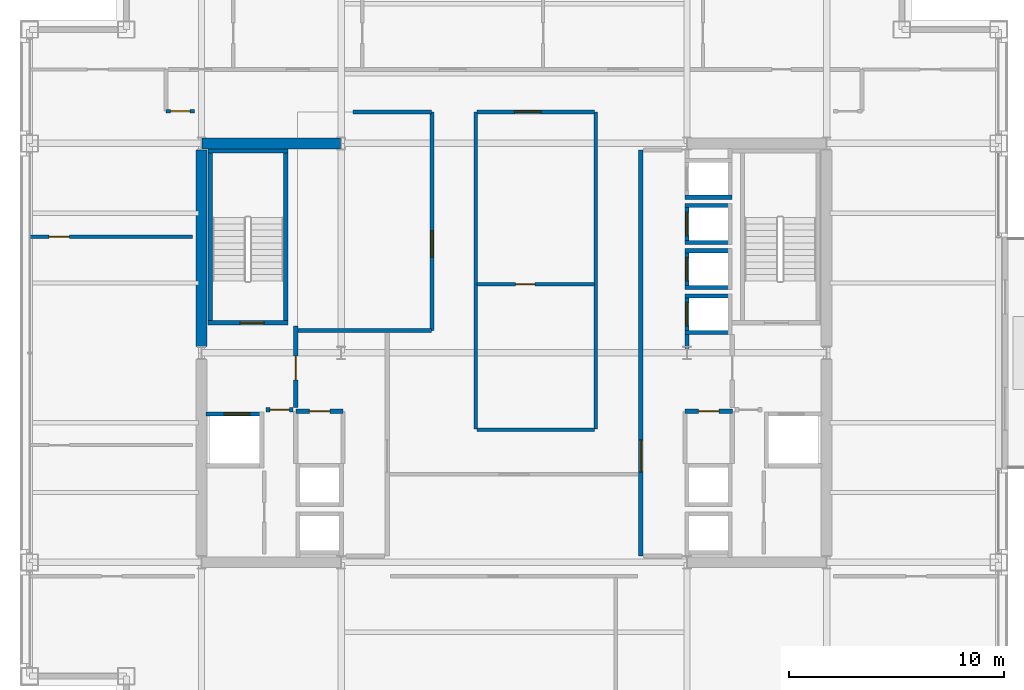
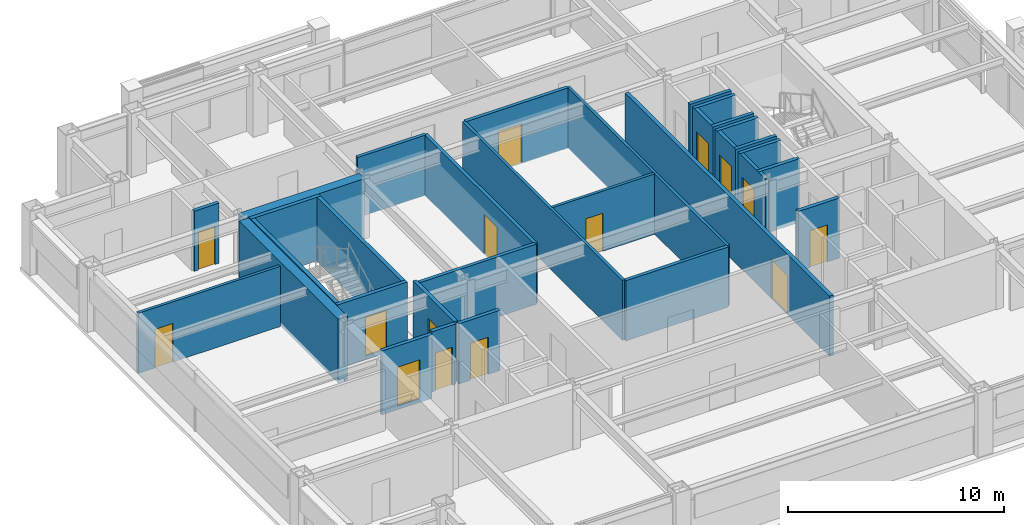
# One storey, part 25 of 29: 32 walls, 15 doors, 15 openings.
"""IFC4 building model written with IfcOpenShell, lengths in metres."""

import ifcopenshell
import ifcopenshell.guid

model = None  # the IFC model being written
_history = None  # IfcOwnerHistory: only IFC2X3 demands one
_inside = {}  # id of a spatial element -> (the spatial element, [elements in it])
_under = {}  # id of a project, library or spatial element -> (it, [spatial elements below it])
_declared = {}  # id of a project -> (the project, [libraries it declares])
_typed = {}  # id of a type object -> (the type object, [elements of that type])
_made_of = {}  # id of a material, layer set ... -> (it, [elements and type objects made of it])


def new_model(schema):
    """Start an empty IFC model of exactly this schema.

    Asked for "IFC4X3", IfcOpenShell would pick the latest addendum, in which some entities
    have other attributes; the version numbers below select the first issue.
    IFC2X3 requires an IfcOwnerHistory on every rooted entity: one is made here for all.
    """
    global model, _history
    if schema == "IFC4X3":
        model = ifcopenshell.file(schema_version=(4, 3, 0, 0))
    else:
        model = ifcopenshell.file(schema=schema)
    _inside.clear()
    _under.clear()
    _declared.clear()
    _typed.clear()
    _made_of.clear()
    _history = None
    if model.schema == "IFC2X3":
        org = make("IfcOrganization", Name="unknown")
        user = make(
            "IfcPersonAndOrganization",
            ThePerson=make("IfcPerson", FamilyName="unknown"),
            TheOrganization=org,
        )
        app = make(
            "IfcApplication",
            ApplicationDeveloper=org,
            Version="unknown",
            ApplicationFullName="unknown",
            ApplicationIdentifier="unknown",
        )
        _history = make(
            "IfcOwnerHistory",
            OwningUser=user,
            OwningApplication=app,
            ChangeAction="ADDED",
            CreationDate=0,
        )
    return model


def make(cls, **values):
    """One entity of the class cls with the attributes given. An attribute that is None is left unset."""
    return model.create_entity(
        cls, **{name: value for name, value in values.items() if value is not None}
    )


def rooted(cls, **values):
    """An entity with a GlobalId (a new one), such as an element, a storey or a relation."""
    return make(cls, GlobalId=ifcopenshell.guid.new(), OwnerHistory=_history, **values)


def si_unit(unit_type, name, prefix=None):
    """IfcSIUnit, for example si_unit("LENGTHUNIT", "METRE", prefix="MILLI")."""
    return make("IfcSIUnit", UnitType=unit_type, Prefix=prefix, Name=name)


def assignment(units):
    """IfcUnitAssignment: the units of a project."""
    return None if units is None else make("IfcUnitAssignment", Units=units)


def point(xyz):
    """IfcCartesianPoint."""
    return None if xyz is None else make("IfcCartesianPoint", Coordinates=xyz)


def direction(xyz):
    """IfcDirection."""
    return None if xyz is None else make("IfcDirection", DirectionRatios=xyz)


def frame(location, z_axis=None, x_axis=None):
    """IfcAxis2Placement3D, a coordinate frame: its origin and axes. An axis left out is left unset."""
    return make(
        "IfcAxis2Placement3D",
        Location=point(location),
        Axis=direction(z_axis),
        RefDirection=direction(x_axis),
    )


def frame_2d(location, x_axis=None):
    """IfcAxis2Placement2D, a coordinate frame in the plane: its origin and x axis."""
    return make(
        "IfcAxis2Placement2D", Location=point(location), RefDirection=direction(x_axis)
    )


def origin():
    """The frame at (0, 0, 0) with its axes left unset."""
    return frame((0.0, 0.0, 0.0))


def place(relative_to, where):
    """IfcLocalPlacement: puts the frame where relative to a parent placement (None: the world)."""
    return make(
        "IfcLocalPlacement", PlacementRelTo=relative_to, RelativePlacement=where
    )


def context(
    kind, dimensions, precision=None, world=None, true_north=None, identifier=None
):
    """IfcGeometricRepresentationContext, for example the 3D "Model" context."""
    return make(
        "IfcGeometricRepresentationContext",
        ContextIdentifier=identifier,
        ContextType=kind,
        CoordinateSpaceDimension=dimensions,
        Precision=precision,
        WorldCoordinateSystem=world,
        TrueNorth=true_north,
    )


def subcontext(parent, identifier, kind, view, scale=None):
    """IfcGeometricRepresentationSubContext, for example "Body" below "Model"."""
    return make(
        "IfcGeometricRepresentationSubContext",
        ContextIdentifier=identifier,
        ContextType=kind,
        ParentContext=parent,
        TargetScale=scale,
        TargetView=view,
    )


def project(units=None, contexts=None):
    """IfcProject with its units and contexts."""
    return rooted(
        "IfcProject",
        Name="project",
        RepresentationContexts=contexts,
        UnitsInContext=assignment(units),
    )


def spatial(cls, under=None, at=None, **own):
    """A site, building, storey or space (cls), placed at a placement, below another one or the project."""
    s = rooted(cls, ObjectPlacement=at, **own)
    if under is not None:
        _under.setdefault(under.id(), (under, []))[1].append(s)
    return s


def profile(cls, at=None, kind="AREA", **sizes):
    """A parametric profile (cls). Its sizes go by their IFC names, for example OverallWidth=200.0."""
    return make(cls, ProfileType=kind, Position=at, **sizes)


def rectangle(**sizes):
    """IfcRectangleProfileDef."""
    return profile("IfcRectangleProfileDef", **sizes)


def extrude(swept, where, along, depth):
    """IfcExtrudedAreaSolid: the profile swept, set in the frame where, extruded along a direction by depth."""
    return make(
        "IfcExtrudedAreaSolid",
        SweptArea=swept,
        Position=where,
        ExtrudedDirection=direction(along),
        Depth=depth,
    )


def shape(context_of_items, identifier, shape_type, items):
    """IfcShapeRepresentation: the items that make up one representation, for example the "Body"."""
    return make(
        "IfcShapeRepresentation",
        ContextOfItems=context_of_items,
        RepresentationIdentifier=identifier,
        RepresentationType=shape_type,
        Items=items,
    )


def material(Name=None, Category=None):
    """IfcMaterial."""
    return make("IfcMaterial", Name=Name, Category=Category)


def layer(
    of_material, thickness, ventilated=None, Name=None, Category=None, Priority=None
):
    """IfcMaterialLayer: one layer of a wall or slab, of a material (None: an air gap)."""
    return make(
        "IfcMaterialLayer",
        Material=of_material,
        LayerThickness=thickness,
        IsVentilated=ventilated,
        Name=Name,
        Category=Category,
        Priority=Priority,
    )


def layer_set(layers, Name=None):
    """IfcMaterialLayerSet."""
    return make("IfcMaterialLayerSet", MaterialLayers=layers, LayerSetName=Name)


def made_of(thing, what):
    """Note that an element or type object is made of a material, layer set ...; save() writes the relation."""
    if what is not None:
        _made_of.setdefault(what.id(), (what, []))[1].append(thing)
    return thing


def type_object(cls, material=None, **own):
    """A type object (cls), such as IfcWallType, which elements share."""
    return made_of(rooted(cls, **own), material)


def element(
    cls,
    number,
    at=None,
    inside=None,
    cuts=None,
    type_object=None,
    material=None,
    context=None,
    identifier="Body",
    shape_type=None,
    held_by="IfcProductDefinitionShape",
    body=None,
    shapes=None,
    **own,
):
    """One element of the class cls, such as IfcWall. Its Tag is "e" and its number.

    at: its placement. inside: the storey or other place that contains it. cuts: it is an
    opening in that element (IfcRelVoidsElement). A single representation is given by context,
    identifier, shape_type and body (its items); several are given by shapes. held_by: the class
    of the entity that holds the representations. save() writes the other relations.
    """
    e = rooted(cls, Tag="e%d" % number, ObjectPlacement=at, **own)
    if body is not None:
        shapes = [shape(context, identifier, shape_type, body)]
    if shapes is not None:
        e.Representation = make(held_by, Representations=shapes)
    if inside is not None:
        _inside.setdefault(inside.id(), (inside, []))[1].append(e)
    if cuts is not None:
        rooted(
            "IfcRelVoidsElement", RelatingBuildingElement=cuts, RelatedOpeningElement=e
        )
    if type_object is not None:
        _typed.setdefault(type_object.id(), (type_object, []))[1].append(e)
    return made_of(e, material)


def fill(opening, filler):
    """IfcRelFillsElement: the door or window that sits in an opening."""
    return rooted(
        "IfcRelFillsElement",
        RelatingOpeningElement=opening,
        RelatedBuildingElement=filler,
    )


def aggregate(whole, parts):
    """IfcRelAggregates: a whole, such as a stair, and the parts it consists of."""
    return rooted("IfcRelAggregates", RelatingObject=whole, RelatedObjects=parts)


def save(model, path):
    """Write the relations noted so far, then the file.

    IfcRelAggregates (storeys below a building ...), IfcRelContainedInSpatialStructure (elements
    in a storey), IfcRelDefinesByType, IfcRelAssociatesMaterial and IfcRelDeclares: one each for
    every whole, place, type object, material and project.
    """
    for whole, parts in _under.values():
        aggregate(whole, parts)
    for where, things in _inside.values():
        rooted(
            "IfcRelContainedInSpatialStructure",
            RelatedElements=things,
            RelatingStructure=where,
        )
    for kind, things in _typed.values():
        rooted("IfcRelDefinesByType", RelatedObjects=things, RelatingType=kind)
    for what, things in _made_of.values():
        rooted("IfcRelAssociatesMaterial", RelatedObjects=things, RelatingMaterial=what)
    for by, libraries in _declared.values():
        rooted("IfcRelDeclares", RelatingContext=by, RelatedDefinitions=libraries)
    model.write(path)


model = new_model("IFC4")

# Units and contexts
model_context = context("Model", 3, precision=1e-05, world=origin(), true_north=direction((0.0, 1.0)))
body_context = subcontext(model_context, "Body", "Model", "MODEL_VIEW")
ifc_project = project(units=[si_unit("LENGTHUNIT", "METRE"), si_unit("AREAUNIT", "SQUARE_METRE"), si_unit("VOLUMEUNIT", "CUBIC_METRE"), si_unit("PLANEANGLEUNIT", "RADIAN"), si_unit("MASSUNIT", "GRAM", prefix="KILO")], contexts=[model_context])

# Site, building, storey
site_placement = place(None, origin())
site = spatial("IfcSite", under=ifc_project, at=site_placement, CompositionType="ELEMENT")
building_placement = place(site_placement, origin())
building = spatial("IfcBuilding", under=site, at=building_placement, Name="Brelmoor Portico Tower", CompositionType="ELEMENT")
storey_placement = place(building_placement, frame((0.0, 0.0, 138.60009765625)))
storey = spatial("IfcBuildingStorey", under=building, at=storey_placement, Name="L36", CompositionType="ELEMENT", Elevation=138.60009765625)

# Walls
ifc_material_1 = material(Name="Concrete C60", Category="concrete")
ifc_layer_1 = layer(ifc_material_1, 0.5)
ifc_layer_set_1 = layer_set([ifc_layer_1], Name="Concrete C60")
wall_type_1 = type_object("IfcWallType", Name="WL-CORE-500", PredefinedType="SHEAR", material=ifc_layer_set_1)
wall_1_placement = place(storey_placement, frame((-14.530029296875, 9.75, -0.2001953125), z_axis=(0.0, 0.0, 1.0), x_axis=(1.0, 0.0, 0.0)))
element("IfcWall", 1, at=wall_1_placement, inside=storey, type_object=wall_type_1, Name="L36 WC North Shear Wall", PredefinedType="SHEAR", context=body_context, shape_type="SweptSolid", body=[
    extrude(rectangle(XDim=6.4599609375, YDim=0.5, at=frame_2d((3.22998046875, 0.0))), origin(), (0.0, 0.0, 1.0), 3.60009765625),
])
wall_2_placement = place(storey_placement, frame((-14.550048828125, 0.300048828125, -0.2001953125), z_axis=(0.0, 0.0, 1.0), x_axis=(0.0, 1.0, 0.0)))
element("IfcWall", 2, at=wall_2_placement, inside=storey, type_object=wall_type_1, Name="L36 WC Outer North Shear Wall", PredefinedType="SHEAR", context=body_context, shape_type="SweptSolid", body=[
    extrude(rectangle(XDim=9.14990234375, YDim=0.5, at=frame_2d((4.574951171875, 0.0))), origin(), (0.0, 0.0, 1.0), 3.60009765625),
])
ifc_material_2 = material(Name="Wet-Area Moisture-Resistant Partition", Category="gypsum")
ifc_layer_2 = layer(ifc_material_2, 0.14990234375)
ifc_layer_set_2 = layer_set([ifc_layer_2], Name="Wet-Area Moisture-Resistant Partition")
wall_type_2 = type_object("IfcWallType", Name="WL-PART-150", PredefinedType="PARTITIONING", material=ifc_layer_set_2)
for number, where, z_axis, x_axis, name in (
    (3, (-1.780029296875, -3.550048828125, 0.0), (0.0, 0.0, 1.0), (0.0, 1.0, 0.0), "L36 Central Studio West Wall"),
    (4, (3.800048828125, -3.550048828125, 0.0), (0.0, 0.0, 1.0), (0.0, 1.0, 0.0), "L36 Central Studio East Wall"),
):
    element("IfcWall", number, at=place(storey_placement, frame(where, z_axis=z_axis, x_axis=x_axis)), inside=storey, type_object=wall_type_2, Name=name, PredefinedType="PARTITIONING", context=body_context, shape_type="SweptSolid", body=[
        extrude(rectangle(XDim=14.77001953125, YDim=0.14990234375, at=frame_2d((7.385009765625, 0.0))), origin(), (0.0, 0.0, 1.0), 3.39990234375),
    ])

# Wall, opening, door
wall_3_placement = place(storey_placement, frame((-1.72998046875, 3.199951171875, 0.0), z_axis=(0.0, 0.0, 1.0), x_axis=(1.0, 0.0, 0.0)))
wall_3 = element("IfcWall", 5, at=wall_3_placement, inside=storey, type_object=wall_type_2, Name="L36 Central Pantry Divider", PredefinedType="PARTITIONING", context=body_context, shape_type="SweptSolid", body=[
    extrude(rectangle(XDim=5.47998046875, YDim=0.14990234375, at=frame_2d((2.739990234375, 0.0))), origin(), (0.0, 0.0, 1.0), 3.39990234375),
])
opening_1_placement = place(wall_3_placement, frame((1.800048828125, 0.0, 0.0)))
opening_1 = element("IfcOpeningElement", 6, at=opening_1_placement, cuts=wall_3, Name="Opening D-IN1", PredefinedType="OPENING", context=body_context, shape_type="SweptSolid", body=[
    extrude(rectangle(XDim=0.89990234375, YDim=2.14990234375, at=frame_2d((0.449951171875, 1.074951171875))), frame((0.0, 0.0849609375, 0.0), z_axis=(0.0, -1.0, 0.0), x_axis=(1.0, 0.0, 0.0)), (0.0, 0.0, 1.0), 0.169921875),
])
ifc_material_3 = material(Name="Lacquered Timber Suite Door", Category="wood")
door_type_1 = type_object("IfcDoorType", Name="DR-INT-900", OperationType="NOTDEFINED", PredefinedType="DOOR", material=ifc_material_3)
door_1_placement = place(opening_1_placement, origin())
door_1 = element("IfcDoor", 7, at=door_1_placement, inside=storey, type_object=door_type_1, Name="D-1558 L36 Central Pantry Connecting Door", OperationType="SINGLE_SWING_RIGHT", OverallHeight=2.14990234375, OverallWidth=0.89990234375, PredefinedType="DOOR", context=body_context, shape_type="SweptSolid", body=[
    extrude(rectangle(XDim=0.89990234375, YDim=2.14990234375, at=frame_2d((0.449951171875, 1.074951171875))), frame((0.0, 0.02490234375, 0.0), z_axis=(0.0, -1.0, 0.0), x_axis=(1.0, 0.0, 0.0)), (0.0, 0.0, 1.0), 0.050048828125),
])
fill(opening_1, door_1)

wall_4_placement = place(storey_placement, frame((-22.56005859375, 5.404296875, 0.0), z_axis=(0.0, 0.0, 1.0), x_axis=(1.0, 0.0, 0.0)))
wall_4 = element("IfcWall", 8, at=wall_4_placement, inside=storey, type_object=wall_type_2, Name="L36 W Wing Partition 2", PredefinedType="PARTITIONING", context=body_context, shape_type="SweptSolid", body=[
    extrude(rectangle(XDim=7.60009765625, YDim=0.14990234375, at=frame_2d((3.800048828125, 0.0))), origin(), (0.0, 0.0, 1.0), 3.39990234375),
])
opening_2_placement = place(wall_4_placement, frame((0.89990234375, 0.0, 0.0)))
opening_2 = element("IfcOpeningElement", 9, at=opening_2_placement, cuts=wall_4, Name="Opening D-IN2", PredefinedType="OPENING", context=body_context, shape_type="SweptSolid", body=[
    extrude(rectangle(XDim=0.9599609375, YDim=2.179931640625, at=frame_2d((0.47998046875, 1.08984375))), frame((0.0, 0.0849609375, 0.0), z_axis=(0.0, -1.0, 0.0), x_axis=(1.0, 0.0, 0.0)), (0.0, 0.0, 1.0), 0.169921875),
])
door_type_2 = type_object("IfcDoorType", Name="DR-INT-950", OperationType="NOTDEFINED", PredefinedType="DOOR", material=ifc_material_3)
door_2_placement = place(opening_2_placement, origin())
door_2 = element("IfcDoor", 10, at=door_2_placement, inside=storey, type_object=door_type_2, Name="D-1593 L36 W Wing Suite Connecting Door 2", OperationType="SINGLE_SWING_LEFT", OverallHeight=2.179931640625, OverallWidth=0.9599609375, PredefinedType="DOOR", context=body_context, shape_type="SweptSolid", body=[
    extrude(rectangle(XDim=0.9599609375, YDim=2.179931640625, at=frame_2d((0.47998046875, 1.08984375))), frame((0.0, 0.02490234375, 0.0), z_axis=(0.0, -1.0, 0.0), x_axis=(1.0, 0.0, 0.0)), (0.0, 0.0, 1.0), 0.050048828125),
])
fill(opening_2, door_2)

# Wall
ifc_material_4 = material(Name="Acoustic Corridor Fire Partition", Category="gypsum")
ifc_layer_3 = layer(ifc_material_4, 0.179931640625)
ifc_layer_set_3 = layer_set([ifc_layer_3], Name="Acoustic Corridor Fire Partition")
wall_type_3 = type_object("IfcWallType", Name="WL-PART-180", PredefinedType="PARTITIONING", material=ifc_layer_set_3)
wall_5_placement = place(storey_placement, frame((-10.050048828125, 1.050048828125, 0.0), z_axis=(0.0, 0.0, 1.0), x_axis=(1.0, 0.0, 0.0)))
element("IfcWall", 11, at=wall_5_placement, inside=storey, type_object=wall_type_3, Name="L36 Reclaimed West Suite South Wall", PredefinedType="PARTITIONING", context=body_context, shape_type="SweptSolid", body=[
    extrude(rectangle(XDim=6.2099609375, YDim=0.179931640625, at=frame_2d((3.10498046875, 0.0))), origin(), (0.0, 0.0, 1.0), 3.39990234375),
])

# Wall, opening, door
wall_6_placement = place(storey_placement, frame((-3.820068359375, 1.050048828125, 0.0), z_axis=(0.0, 0.0, 1.0), x_axis=(0.0, 1.0, 0.0)))
wall_6 = element("IfcWall", 12, at=wall_6_placement, inside=storey, type_object=wall_type_3, Name="L36 Reclaimed West Suite East Wall", PredefinedType="PARTITIONING", context=body_context, shape_type="SweptSolid", body=[
    extrude(rectangle(XDim=10.169921875, YDim=0.179931640625, at=frame_2d((5.0849609375, 0.0))), origin(), (0.0, 0.0, 1.0), 3.39990234375),
])
opening_3_placement = place(wall_6_placement, frame((3.39990234375, 0.0, 0.0)))
opening_3 = element("IfcOpeningElement", 13, at=opening_3_placement, cuts=wall_6, Name="Opening D-SU1", PredefinedType="OPENING", context=body_context, shape_type="SweptSolid", body=[
    extrude(rectangle(XDim=1.239990234375, YDim=2.239990234375, at=frame_2d((0.6201171875, 1.1201171875))), frame((0.0, 0.099853515625, 0.0), z_axis=(0.0, -1.0, 0.0), x_axis=(1.0, 0.0, 0.0)), (0.0, 0.0, 1.0), 0.199951171875),
])
ifc_material_5 = material(Name="Glazed Timber Executive Suite Door", Category="wood")
door_type_3 = type_object("IfcDoorType", Name="DR-SUITE-1200", OperationType="NOTDEFINED", PredefinedType="DOOR", material=ifc_material_5)
door_3_placement = place(opening_3_placement, origin())
door_3 = element("IfcDoor", 14, at=door_3_placement, inside=storey, type_object=door_type_3, Name="D-1581 L36 West Reclaimed Collaboration Office Door", OperationType="SINGLE_SWING_LEFT", OverallHeight=2.239990234375, OverallWidth=1.239990234375, PredefinedType="DOOR", context=body_context, shape_type="SweptSolid", body=[
    extrude(rectangle(XDim=1.239990234375, YDim=2.239990234375, at=frame_2d((0.6201171875, 1.1201171875))), frame((0.0, 0.02490234375, 0.0), z_axis=(0.0, -1.0, 0.0), x_axis=(1.0, 0.0, 0.0)), (0.0, 0.0, 1.0), 0.050048828125),
])
fill(opening_3, door_3)

# Walls
wall_7_placement = place(storey_placement, frame((-7.5, 11.219970703125, 0.0), z_axis=(0.0, 0.0, 1.0), x_axis=(1.0, 0.0, 0.0)))
element("IfcWall", 15, at=wall_7_placement, inside=storey, type_object=wall_type_3, Name="L36 Reclaimed West Suite North Wall", PredefinedType="PARTITIONING", context=body_context, shape_type="SweptSolid", body=[
    extrude(rectangle(XDim=3.659912109375, YDim=0.179931640625, at=frame_2d((1.830078125, 0.0))), origin(), (0.0, 0.0, 1.0), 3.39990234375),
])
wall_8_placement = place(storey_placement, frame((-1.72998046875, -3.580078125, 0.0), z_axis=(0.0, 0.0, 1.0), x_axis=(1.0, 0.0, 0.0)))
element("IfcWall", 16, at=wall_8_placement, inside=storey, type_object=wall_type_3, Name="L36 Central Studio South Wall", PredefinedType="PARTITIONING", context=body_context, shape_type="SweptSolid", body=[
    extrude(rectangle(XDim=5.47998046875, YDim=0.179931640625, at=frame_2d((2.739990234375, 0.0))), origin(), (0.0, 0.0, 1.0), 3.39990234375),
])

# Wall, opening, door
wall_9_placement = place(storey_placement, frame((-1.72998046875, 11.219970703125, 0.0), z_axis=(0.0, 0.0, 1.0), x_axis=(1.0, 0.0, 0.0)))
wall_9 = element("IfcWall", 17, at=wall_9_placement, inside=storey, type_object=wall_type_3, Name="L36 Central Meeting North Wall", PredefinedType="PARTITIONING", context=body_context, shape_type="SweptSolid", body=[
    extrude(rectangle(XDim=5.47998046875, YDim=0.179931640625, at=frame_2d((2.739990234375, 0.0))), origin(), (0.0, 0.0, 1.0), 3.39990234375),
])
opening_4_placement = place(wall_9_placement, frame((1.75, 0.0, 0.0)))
opening_4 = element("IfcOpeningElement", 18, at=opening_4_placement, cuts=wall_9, Name="Opening D-SU1", PredefinedType="OPENING", context=body_context, shape_type="SweptSolid", body=[
    extrude(rectangle(XDim=1.239990234375, YDim=2.239990234375, at=frame_2d((0.6201171875, 1.1201171875))), frame((0.0, 0.099853515625, 0.0), z_axis=(0.0, -1.0, 0.0), x_axis=(1.0, 0.0, 0.0)), (0.0, 0.0, 1.0), 0.199951171875),
])
door_4_placement = place(opening_4_placement, origin())
door_4 = element("IfcDoor", 19, at=door_4_placement, inside=storey, type_object=door_type_3, Name="D-1559 L36 Client Meeting Room Door", OperationType="SINGLE_SWING_LEFT", OverallHeight=2.239990234375, OverallWidth=1.239990234375, PredefinedType="DOOR", context=body_context, shape_type="SweptSolid", body=[
    extrude(rectangle(XDim=1.239990234375, YDim=2.239990234375, at=frame_2d((0.6201171875, 1.1201171875))), frame((0.0, 0.02490234375, 0.0), z_axis=(0.0, -1.0, 0.0), x_axis=(1.0, 0.0, 0.0)), (0.0, 0.0, 1.0), 0.050048828125),
])
fill(opening_4, door_4)

wall_10_placement = place(storey_placement, frame((-16.199951171875, 11.25, 0.0), z_axis=(0.0, 0.0, 1.0), x_axis=(1.0, 0.0, 0.0)))
wall_10 = element("IfcWall", 20, at=wall_10_placement, inside=storey, type_object=wall_type_3, Name="L36 W Wing North Entry Wall", PredefinedType="PARTITIONING", context=body_context, shape_type="SweptSolid", body=[
    extrude(rectangle(XDim=1.320068359375, YDim=0.179931640625, at=frame_2d((0.66015625, 0.0))), origin(), (0.0, 0.0, 1.0), 3.39990234375),
])
opening_5_placement = place(wall_10_placement, frame((0.2099609375, 0.0, 0.0)))
opening_5 = element("IfcOpeningElement", 21, at=opening_5_placement, cuts=wall_10, Name="Opening D-IN1", PredefinedType="OPENING", context=body_context, shape_type="SweptSolid", body=[
    extrude(rectangle(XDim=0.89990234375, YDim=2.14990234375, at=frame_2d((0.449951171875, 1.074951171875))), frame((0.0, 0.099853515625, 0.0), z_axis=(0.0, -1.0, 0.0), x_axis=(1.0, 0.0, 0.0)), (0.0, 0.0, 1.0), 0.199951171875),
])
door_5_placement = place(opening_5_placement, origin())
door_5 = element("IfcDoor", 22, at=door_5_placement, inside=storey, type_object=door_type_1, Name="D-1591 L36 W Wing Entry Door", OperationType="SINGLE_SWING_LEFT", OverallHeight=2.14990234375, OverallWidth=0.89990234375, PredefinedType="DOOR", context=body_context, shape_type="SweptSolid", body=[
    extrude(rectangle(XDim=0.89990234375, YDim=2.14990234375, at=frame_2d((0.449951171875, 1.074951171875))), frame((0.0, 0.02490234375, 0.0), z_axis=(0.0, -1.0, 0.0), x_axis=(1.0, 0.0, 0.0)), (0.0, 0.0, 1.0), 0.050048828125),
])
fill(opening_5, door_5)

ifc_material_6 = material(Name="Double-Stud Gypsum Fire Partition", Category="gypsum")
ifc_layer_4 = layer(ifc_material_6, 0.199951171875)
ifc_layer_set_4 = layer_set([ifc_layer_4], Name="Double-Stud Gypsum Fire Partition")
wall_type_4 = type_object("IfcWallType", Name="WL-PART-200", PredefinedType="PARTITIONING", material=ifc_layer_set_4)
wall_11_placement = place(storey_placement, frame((-10.159912109375, -2.550048828125, 0.0), z_axis=(0.0, 0.0, 1.0), x_axis=(0.0, 1.0, 0.0)))
wall_11 = element("IfcWall", 23, at=wall_11_placement, inside=storey, type_object=wall_type_4, Name="L36 W Firefighting Lobby Wall", PredefinedType="PARTITIONING", context=body_context, shape_type="SweptSolid", body=[
    extrude(rectangle(XDim=3.800048828125, YDim=0.199951171875, at=frame_2d((1.89990234375, 0.0))), origin(), (0.0, 0.0, 1.0), 3.39990234375),
])
opening_6_placement = place(wall_11_placement, frame((1.300048828125, 0.0, 0.0)))
opening_6 = element("IfcOpeningElement", 24, at=opening_6_placement, cuts=wall_11, Name="Opening D-FR1", PredefinedType="OPENING", context=body_context, shape_type="SweptSolid", body=[
    extrude(rectangle(XDim=1.10009765625, YDim=2.14990234375, at=frame_2d((0.550048828125, 1.074951171875))), frame((0.0, 0.10986328125, 0.0), z_axis=(0.0, -1.0, 0.0), x_axis=(1.0, 0.0, 0.0)), (0.0, 0.0, 1.0), 0.219970703125),
])
ifc_material_7 = material(Name="Painted Galvanised Steel Fire Door", Category="steel")
door_type_4 = type_object("IfcDoorType", Name="DR-FIRE-1100", OperationType="NOTDEFINED", PredefinedType="DOOR", material=ifc_material_7)
door_6_placement = place(opening_6_placement, origin())
door_6 = element("IfcDoor", 25, at=door_6_placement, inside=storey, type_object=door_type_4, Name="D-1567 L36 W Firefighting Lobby Door", OperationType="SINGLE_SWING_LEFT", OverallHeight=2.14990234375, OverallWidth=1.10009765625, PredefinedType="DOOR", context=body_context, shape_type="SweptSolid", body=[
    extrude(rectangle(XDim=1.10009765625, YDim=2.14990234375, at=frame_2d((0.550048828125, 1.074951171875))), frame((0.0, 0.02490234375, 0.0), z_axis=(0.0, -1.0, 0.0), x_axis=(1.0, 0.0, 0.0)), (0.0, 0.0, 1.0), 0.050048828125),
])
fill(opening_6, door_6)

wall_12_placement = place(storey_placement, frame((-10.280029296875, -2.64990234375, 0.0), z_axis=(0.0, 0.0, 1.0), x_axis=(-1.0, 0.0, 0.0)))
wall_12 = element("IfcWall", 26, at=wall_12_placement, inside=storey, type_object=wall_type_4, Name="L36 W Firefighting Lobby South Wall", PredefinedType="PARTITIONING", context=body_context, shape_type="SweptSolid", body=[
    extrude(rectangle(XDim=1.27001953125, YDim=0.199951171875, at=frame_2d((0.635009765625, 0.0))), origin(), (0.0, 0.0, 1.0), 3.39990234375),
])
opening_7_placement = place(wall_12_placement, frame((0.18505859375, 0.0, 0.0)))
opening_7 = element("IfcOpeningElement", 27, at=opening_7_placement, cuts=wall_12, Name="Opening D-IN1", PredefinedType="OPENING", context=body_context, shape_type="SweptSolid", body=[
    extrude(rectangle(XDim=0.89990234375, YDim=2.14990234375, at=frame_2d((0.449951171875, 1.074951171875))), frame((0.0, 0.10986328125, 0.0), z_axis=(0.0, -1.0, 0.0), x_axis=(1.0, 0.0, 0.0)), (0.0, 0.0, 1.0), 0.219970703125),
])
door_7_placement = place(opening_7_placement, origin())
door_7 = element("IfcDoor", 28, at=door_7_placement, inside=storey, type_object=door_type_1, Name="D-1562 L36 W Core Service Vestibule Door", OperationType="SINGLE_SWING_RIGHT", OverallHeight=2.14990234375, OverallWidth=0.89990234375, PredefinedType="DOOR", context=body_context, shape_type="SweptSolid", body=[
    extrude(rectangle(XDim=0.89990234375, YDim=2.14990234375, at=frame_2d((0.449951171875, 1.074951171875))), frame((0.0, 0.02490234375, 0.0), z_axis=(0.0, -1.0, 0.0), x_axis=(1.0, 0.0, 0.0)), (0.0, 0.0, 1.0), 0.050048828125),
])
fill(opening_7, door_7)

wall_13_placement = place(storey_placement, frame((-7.9599609375, -2.719970703125, 0.0), z_axis=(0.0, 0.0, 1.0), x_axis=(-1.0, 0.0, 0.0)))
wall_13 = element("IfcWall", 29, at=wall_13_placement, inside=storey, type_object=wall_type_4, Name="L36 W Electrical Switchgear Closet Wall", PredefinedType="PARTITIONING", context=body_context, shape_type="SweptSolid", body=[
    extrude(rectangle(XDim=2.199951171875, YDim=0.199951171875, at=frame_2d((1.10009765625, 0.0))), origin(), (0.0, 0.0, 1.0), 3.39990234375),
])
opening_8_placement = place(wall_13_placement, frame((0.6201171875, 0.0, 0.0)))
opening_8 = element("IfcOpeningElement", 30, at=opening_8_placement, cuts=wall_13, Name="Opening D-FR4", PredefinedType="OPENING", context=body_context, shape_type="SweptSolid", body=[
    extrude(rectangle(XDim=0.949951171875, YDim=2.10009765625, at=frame_2d((0.47509765625, 1.050048828125))), frame((0.0, 0.10986328125, 0.0), z_axis=(0.0, -1.0, 0.0), x_axis=(1.0, 0.0, 0.0)), (0.0, 0.0, 1.0), 0.219970703125),
])
ifc_material_8 = material(Name="Painted Galvanised Steel Riser Door", Category="steel")
door_type_5 = type_object("IfcDoorType", Name="DR-FIRE-950", OperationType="NOTDEFINED", PredefinedType="DOOR", material=ifc_material_8)
door_8_placement = place(opening_8_placement, origin())
door_8 = element("IfcDoor", 31, at=door_8_placement, inside=storey, type_object=door_type_5, Name="D-1565 L36 W Electrical Switchgear Closet Door", OperationType="SINGLE_SWING_LEFT", OverallHeight=2.10009765625, OverallWidth=0.949951171875, PredefinedType="DOOR", context=body_context, shape_type="SweptSolid", body=[
    extrude(rectangle(XDim=0.949951171875, YDim=2.10009765625, at=frame_2d((0.47509765625, 1.050048828125))), frame((0.0, 0.02490234375, 0.0), z_axis=(0.0, -1.0, 0.0), x_axis=(1.0, 0.0, 0.0)), (0.0, 0.0, 1.0), 0.050048828125),
])
fill(opening_8, door_8)

wall_14_placement = place(storey_placement, frame((5.89990234375, -9.449951171875, 0.0), z_axis=(0.0, 0.0, 1.0), x_axis=(0.0, 1.0, 0.0)))
wall_14 = element("IfcWall", 32, at=wall_14_placement, inside=storey, type_object=wall_type_4, Name="L36 E Core Lobby Compartment Wall", PredefinedType="PARTITIONING", context=body_context, shape_type="SweptSolid", body=[
    extrude(rectangle(XDim=18.89990234375, YDim=0.199951171875, at=frame_2d((9.449951171875, 0.0))), origin(), (0.0, 0.0, 1.0), 3.39990234375),
])
opening_9_placement = place(wall_14_placement, frame((3.89990234375, 0.0, 0.0)))
opening_9 = element("IfcOpeningElement", 33, at=opening_9_placement, cuts=wall_14, Name="Opening D-LB1", PredefinedType="OPENING", context=body_context, shape_type="SweptSolid", body=[
    extrude(rectangle(XDim=1.5, YDim=2.199951171875, at=frame_2d((0.75, 1.10009765625))), frame((0.0, 0.10986328125, 0.0), z_axis=(0.0, -1.0, 0.0), x_axis=(1.0, 0.0, 0.0)), (0.0, 0.0, 1.0), 0.219970703125),
])
ifc_material_9 = material(Name="Double-Leaf Glazed Steel Fire Door", Category="steel")
door_type_6 = type_object("IfcDoorType", Name="DR-LOBBY-1500", OperationType="NOTDEFINED", PredefinedType="DOOR", material=ifc_material_9)
door_9_placement = place(opening_9_placement, origin())
door_9 = element("IfcDoor", 34, at=door_9_placement, inside=storey, type_object=door_type_6, Name="D-1568 L36 E Lift Lobby Main Door", OperationType="DOUBLE_DOOR_SINGLE_SWING", OverallHeight=2.199951171875, OverallWidth=1.5, PredefinedType="DOOR", context=body_context, shape_type="SweptSolid", body=[
    extrude(rectangle(XDim=1.5, YDim=2.199951171875, at=frame_2d((0.75, 1.10009765625))), frame((0.0, 0.02490234375, 0.0), z_axis=(0.0, -1.0, 0.0), x_axis=(1.0, 0.0, 0.0)), (0.0, 0.0, 1.0), 0.050048828125),
])
fill(opening_9, door_9)

wall_15_placement = place(storey_placement, frame((7.9599609375, -2.719970703125, 0.0), z_axis=(0.0, 0.0, 1.0), x_axis=(1.0, 0.0, 0.0)))
wall_15 = element("IfcWall", 35, at=wall_15_placement, inside=storey, type_object=wall_type_4, Name="L36 E Electrical Switchgear Closet Wall", PredefinedType="PARTITIONING", context=body_context, shape_type="SweptSolid", body=[
    extrude(rectangle(XDim=2.199951171875, YDim=0.199951171875, at=frame_2d((1.10009765625, 0.0))), origin(), (0.0, 0.0, 1.0), 3.39990234375),
])
opening_10_placement = place(wall_15_placement, frame((0.6201171875, 0.0, 0.0)))
opening_10 = element("IfcOpeningElement", 36, at=opening_10_placement, cuts=wall_15, Name="Opening D-FR4", PredefinedType="OPENING", context=body_context, shape_type="SweptSolid", body=[
    extrude(rectangle(XDim=0.949951171875, YDim=2.10009765625, at=frame_2d((0.47509765625, 1.050048828125))), frame((0.0, 0.10986328125, 0.0), z_axis=(0.0, -1.0, 0.0), x_axis=(1.0, 0.0, 0.0)), (0.0, 0.0, 1.0), 0.219970703125),
])
door_10_placement = place(opening_10_placement, origin())
door_10 = element("IfcDoor", 37, at=door_10_placement, inside=storey, type_object=door_type_5, Name="D-1564 L36 E Electrical Switchgear Closet Door", OperationType="SINGLE_SWING_LEFT", OverallHeight=2.10009765625, OverallWidth=0.949951171875, PredefinedType="DOOR", context=body_context, shape_type="SweptSolid", body=[
    extrude(rectangle(XDim=0.949951171875, YDim=2.10009765625, at=frame_2d((0.47509765625, 1.050048828125))), frame((0.0, 0.02490234375, 0.0), z_axis=(0.0, -1.0, 0.0), x_axis=(1.0, 0.0, 0.0)), (0.0, 0.0, 1.0), 0.050048828125),
])
fill(opening_10, door_10)

ifc_material_10 = material(Name="Precast Concrete C40", Category="concrete")
ifc_layer_5 = layer(ifc_material_10, 0.18994140625)
ifc_layer_set_5 = layer_set([ifc_layer_5], Name="Precast Concrete C40")
wall_type_5 = type_object("IfcWallType", Name="WL-SHAFT-180", PredefinedType="SOLIDWALL", material=ifc_layer_set_5)
wall_16_placement = place(storey_placement, frame((8.044921875, 0.2099609375, -0.2001953125), z_axis=(0.0, 0.0, 1.0), x_axis=(0.0, 1.0, 0.0)))
wall_16 = element("IfcWall", 38, at=wall_16_placement, inside=storey, type_object=wall_type_5, Name="L36 Lift PM1 Hoistway Front Wall", PredefinedType="SOLIDWALL", context=body_context, shape_type="SweptSolid", body=[
    extrude(rectangle(XDim=2.5400390625, YDim=0.18994140625, at=frame_2d((1.27001953125, 0.0))), origin(), (0.0, 0.0, 1.0), 3.60009765625),
])
opening_11_placement = place(wall_16_placement, frame((1.0400390625, 0.0, 0.199951171875)))
opening_11 = element("IfcOpeningElement", 39, at=opening_11_placement, cuts=wall_16, Name="Opening LD-01", PredefinedType="OPENING", context=body_context, shape_type="SweptSolid", body=[
    extrude(rectangle(XDim=1.10009765625, YDim=2.199951171875, at=frame_2d((0.550048828125, 1.10009765625))), frame((0.0, 0.10498046875, 0.0), z_axis=(0.0, -1.0, 0.0), x_axis=(1.0, 0.0, 0.0)), (0.0, 0.0, 1.0), 0.2099609375),
])
ifc_material_11 = material(Name="Brushed Stainless Steel Sliding Lift Door", Category="steel")
door_type_7 = type_object("IfcDoorType", Name="DR-LIFT-1100", OperationType="NOTDEFINED", PredefinedType="DOOR", material=ifc_material_11)
door_11_placement = place(opening_11_placement, origin())
door_11 = element("IfcDoor", 40, at=door_11_placement, inside=storey, type_object=door_type_7, Name="D-1596 L36 Lift PM1 Sliding Landing Door", OperationType="SLIDING_TO_LEFT", OverallHeight=2.199951171875, OverallWidth=1.10009765625, PredefinedType="DOOR", context=body_context, shape_type="SweptSolid", body=[
    extrude(rectangle(XDim=1.10009765625, YDim=2.199951171875, at=frame_2d((0.550048828125, 1.10009765625))), frame((0.0, 0.02490234375, 0.0), z_axis=(0.0, -1.0, 0.0), x_axis=(1.0, 0.0, 0.0)), (0.0, 0.0, 1.0), 0.050048828125),
])
fill(opening_11, door_11)

# Walls
for number, where, z_axis, x_axis, name in (
    (41, (7.949951171875, 2.655029296875, -0.2001953125), (0.0, 0.0, 1.0), (1.0, 0.0, 0.0), "L36 Lift PM1 Hoistway North Wall"),
    (42, (7.949951171875, 0.945068359375, -0.2001953125), (0.0, 0.0, 1.0), (1.0, 0.0, 0.0), "L36 Lift PM1 Hoistway South Wall"),
):
    element("IfcWall", number, at=place(storey_placement, frame(where, z_axis=z_axis, x_axis=x_axis)), inside=storey, type_object=wall_type_5, Name=name, PredefinedType="SOLIDWALL", context=body_context, shape_type="SweptSolid", body=[
        extrude(rectangle(XDim=2.199951171875, YDim=0.18994140625, at=frame_2d((1.10009765625, 0.0))), origin(), (0.0, 0.0, 1.0), 3.60009765625),
    ])

# Wall, opening, door
wall_17_placement = place(storey_placement, frame((8.044921875, 2.949951171875, -0.2001953125), z_axis=(0.0, 0.0, 1.0), x_axis=(0.0, 1.0, 0.0)))
wall_17 = element("IfcWall", 43, at=wall_17_placement, inside=storey, type_object=wall_type_5, Name="L36 Lift PM2 Hoistway Front Wall", PredefinedType="SOLIDWALL", context=body_context, shape_type="SweptSolid", body=[
    extrude(rectangle(XDim=1.900146484375, YDim=0.18994140625, at=frame_2d((0.9501953125, 0.0))), origin(), (0.0, 0.0, 1.0), 3.60009765625),
])
opening_12_placement = place(wall_17_placement, frame((0.39990234375, 0.0, 0.199951171875)))
opening_12 = element("IfcOpeningElement", 44, at=opening_12_placement, cuts=wall_17, Name="Opening LD-01", PredefinedType="OPENING", context=body_context, shape_type="SweptSolid", body=[
    extrude(rectangle(XDim=1.10009765625, YDim=2.199951171875, at=frame_2d((0.550048828125, 1.10009765625))), frame((0.0, 0.10498046875, 0.0), z_axis=(0.0, -1.0, 0.0), x_axis=(1.0, 0.0, 0.0)), (0.0, 0.0, 1.0), 0.2099609375),
])
door_12_placement = place(opening_12_placement, origin())
door_12 = element("IfcDoor", 45, at=door_12_placement, inside=storey, type_object=door_type_7, Name="D-1597 L36 Lift PM2 Sliding Landing Door", OperationType="SLIDING_TO_LEFT", OverallHeight=2.199951171875, OverallWidth=1.10009765625, PredefinedType="DOOR", context=body_context, shape_type="SweptSolid", body=[
    extrude(rectangle(XDim=1.10009765625, YDim=2.199951171875, at=frame_2d((0.550048828125, 1.10009765625))), frame((0.0, 0.02490234375, 0.0), z_axis=(0.0, -1.0, 0.0), x_axis=(1.0, 0.0, 0.0)), (0.0, 0.0, 1.0), 0.050048828125),
])
fill(opening_12, door_12)

# Walls
for number, where, z_axis, x_axis, name in (
    (46, (7.949951171875, 4.7548828125, -0.2001953125), (0.0, 0.0, 1.0), (1.0, 0.0, 0.0), "L36 Lift PM2 Hoistway North Wall"),
    (47, (7.949951171875, 3.044921875, -0.2001953125), (0.0, 0.0, 1.0), (1.0, 0.0, 0.0), "L36 Lift PM2 Hoistway South Wall"),
):
    element("IfcWall", number, at=place(storey_placement, frame(where, z_axis=z_axis, x_axis=x_axis)), inside=storey, type_object=wall_type_5, Name=name, PredefinedType="SOLIDWALL", context=body_context, shape_type="SweptSolid", body=[
        extrude(rectangle(XDim=2.199951171875, YDim=0.18994140625, at=frame_2d((1.10009765625, 0.0))), origin(), (0.0, 0.0, 1.0), 3.60009765625),
    ])

# Wall, opening, door
wall_18_placement = place(storey_placement, frame((8.044921875, 5.050048828125, -0.2001953125), z_axis=(0.0, 0.0, 1.0), x_axis=(0.0, 1.0, 0.0)))
wall_18 = element("IfcWall", 48, at=wall_18_placement, inside=storey, type_object=wall_type_5, Name="L36 Lift PM3 Hoistway Front Wall", PredefinedType="SOLIDWALL", context=body_context, shape_type="SweptSolid", body=[
    extrude(rectangle(XDim=1.89990234375, YDim=0.18994140625, at=frame_2d((0.949951171875, 0.0))), origin(), (0.0, 0.0, 1.0), 3.60009765625),
])
opening_13_placement = place(wall_18_placement, frame((0.39990234375, 0.0, 0.199951171875)))
opening_13 = element("IfcOpeningElement", 49, at=opening_13_placement, cuts=wall_18, Name="Opening LD-01", PredefinedType="OPENING", context=body_context, shape_type="SweptSolid", body=[
    extrude(rectangle(XDim=1.10009765625, YDim=2.199951171875, at=frame_2d((0.550048828125, 1.10009765625))), frame((0.0, 0.10498046875, 0.0), z_axis=(0.0, -1.0, 0.0), x_axis=(1.0, 0.0, 0.0)), (0.0, 0.0, 1.0), 0.2099609375),
])
door_13_placement = place(opening_13_placement, origin())
door_13 = element("IfcDoor", 50, at=door_13_placement, inside=storey, type_object=door_type_7, Name="D-1598 L36 Lift PM3 Sliding Landing Door", OperationType="SLIDING_TO_LEFT", OverallHeight=2.199951171875, OverallWidth=1.10009765625, PredefinedType="DOOR", context=body_context, shape_type="SweptSolid", body=[
    extrude(rectangle(XDim=1.10009765625, YDim=2.199951171875, at=frame_2d((0.550048828125, 1.10009765625))), frame((0.0, 0.02490234375, 0.0), z_axis=(0.0, -1.0, 0.0), x_axis=(1.0, 0.0, 0.0)), (0.0, 0.0, 1.0), 0.050048828125),
])
fill(opening_13, door_13)

# Walls
for number, where, z_axis, x_axis, name in (
    (51, (7.949951171875, 6.85498046875, -0.2001953125), (0.0, 0.0, 1.0), (1.0, 0.0, 0.0), "L36 Lift PM3 Hoistway North Wall"),
    (52, (7.949951171875, 5.14501953125, -0.2001953125), (0.0, 0.0, 1.0), (1.0, 0.0, 0.0), "L36 Lift PM3 Hoistway South Wall"),
    (53, (7.949951171875, 7.2451171875, -0.2001953125), (0.0, 0.0, 1.0), (1.0, 0.0, 0.0), "L36 Lift PM4 Hoistway South Wall"),
):
    element("IfcWall", number, at=place(storey_placement, frame(where, z_axis=z_axis, x_axis=x_axis)), inside=storey, type_object=wall_type_5, Name=name, PredefinedType="SOLIDWALL", context=body_context, shape_type="SweptSolid", body=[
        extrude(rectangle(XDim=2.199951171875, YDim=0.18994140625, at=frame_2d((1.10009765625, 0.0))), origin(), (0.0, 0.0, 1.0), 3.60009765625),
    ])

# Wall, opening, door
wall_19_placement = place(storey_placement, frame((-14.330078125, -2.844970703125, -0.2001953125), z_axis=(0.0, 0.0, 1.0), x_axis=(1.0, 0.0, 0.0)))
wall_19 = element("IfcWall", 54, at=wall_19_placement, inside=storey, type_object=wall_type_5, Name="L36 Lift FF1 Hoistway Front Wall", PredefinedType="SOLIDWALL", context=body_context, shape_type="SweptSolid", body=[
    extrude(rectangle(XDim=2.68017578125, YDim=0.18994140625, at=frame_2d((1.340087890625, 0.0))), origin(), (0.0, 0.0, 1.0), 3.60009765625),
])
opening_14_placement = place(wall_19_placement, frame((0.830078125, 0.0, 0.199951171875)))
opening_14 = element("IfcOpeningElement", 55, at=opening_14_placement, cuts=wall_19, Name="Opening LD-02", PredefinedType="OPENING", context=body_context, shape_type="SweptSolid", body=[
    extrude(rectangle(XDim=1.199951171875, YDim=2.199951171875, at=frame_2d((0.60009765625, 1.10009765625))), frame((0.0, 0.10498046875, 0.0), z_axis=(0.0, -1.0, 0.0), x_axis=(1.0, 0.0, 0.0)), (0.0, 0.0, 1.0), 0.2099609375),
])
ifc_material_12 = material(Name="Brushed Stainless Steel Firefighting Lift Door", Category="steel")
door_type_8 = type_object("IfcDoorType", Name="DR-LIFT-1200", OperationType="NOTDEFINED", PredefinedType="DOOR", material=ifc_material_12)
door_14_placement = place(opening_14_placement, origin())
door_14 = element("IfcDoor", 56, at=door_14_placement, inside=storey, type_object=door_type_8, Name="D-1594 L36 Lift FF1 Sliding Landing Door", OperationType="SLIDING_TO_LEFT", OverallHeight=2.199951171875, OverallWidth=1.199951171875, PredefinedType="DOOR", context=body_context, shape_type="SweptSolid", body=[
    extrude(rectangle(XDim=1.199951171875, YDim=2.199951171875, at=frame_2d((0.60009765625, 1.10009765625))), frame((0.0, 0.02490234375, 0.0), z_axis=(0.0, -1.0, 0.0), x_axis=(1.0, 0.0, 0.0)), (0.0, 0.0, 1.0), 0.050048828125),
])
fill(opening_14, door_14)

# Wall
ifc_material_13 = material(Name="Concrete C40", Category="concrete")
ifc_layer_6 = layer(ifc_material_13, 0.199951171875)
ifc_layer_set_6 = layer_set([ifc_layer_6], Name="Concrete C40")
wall_type_6 = type_object("IfcWallType", Name="WL-SHAFT-RC200", PredefinedType="SOLIDWALL", material=ifc_layer_set_6)
wall_20_placement = place(storey_placement, frame((-14.14990234375, 1.5, -0.2001953125), z_axis=(0.0, 0.0, 1.0), x_axis=(0.0, 1.0, 0.0)))
element("IfcWall", 57, at=wall_20_placement, inside=storey, type_object=wall_type_6, Name="L36 ST-W Structural Stair Wall Outer", PredefinedType="SOLIDWALL", context=body_context, shape_type="SweptSolid", body=[
    extrude(rectangle(XDim=7.800048828125, YDim=0.199951171875, at=frame_2d((3.89990234375, 0.0))), origin(), (0.0, 0.0, 1.0), 3.60009765625),
])

# Wall, opening, door
wall_21_placement = place(storey_placement, frame((-14.25, 1.39990234375, -0.2001953125), z_axis=(0.0, 0.0, 1.0), x_axis=(1.0, 0.0, 0.0)))
wall_21 = element("IfcWall", 58, at=wall_21_placement, inside=storey, type_object=wall_type_6, Name="L36 ST-W Structural Stair Wall S", PredefinedType="SOLIDWALL", context=body_context, shape_type="SweptSolid", body=[
    extrude(rectangle(XDim=3.719970703125, YDim=0.199951171875, at=frame_2d((1.85986328125, 0.0))), origin(), (0.0, 0.0, 1.0), 3.60009765625),
])
opening_15_placement = place(wall_21_placement, frame((1.5, 0.0, 0.199951171875)))
opening_15 = element("IfcOpeningElement", 59, at=opening_15_placement, cuts=wall_21, Name="Opening D-ST1", PredefinedType="OPENING", context=body_context, shape_type="SweptSolid", body=[
    extrude(rectangle(XDim=1.1201171875, YDim=2.179931640625, at=frame_2d((0.56005859375, 1.08984375))), frame((0.0, 0.10986328125, 0.0), z_axis=(0.0, -1.0, 0.0), x_axis=(1.0, 0.0, 0.0)), (0.0, 0.0, 1.0), 0.219970703125),
])
door_type_9 = type_object("IfcDoorType", Name="DR-STAIR-1100", OperationType="NOTDEFINED", PredefinedType="DOOR", material=ifc_material_7)
door_15_placement = place(opening_15_placement, origin())
door_15 = element("IfcDoor", 60, at=door_15_placement, inside=storey, type_object=door_type_9, Name="D-1585 L36 ST-W Protected Exit Stair Door", OperationType="SINGLE_SWING_LEFT", OverallHeight=2.179931640625, OverallWidth=1.1201171875, PredefinedType="DOOR", context=body_context, shape_type="SweptSolid", body=[
    extrude(rectangle(XDim=1.1201171875, YDim=2.179931640625, at=frame_2d((0.56005859375, 1.08984375))), frame((0.0, 0.02490234375, 0.0), z_axis=(0.0, -1.0, 0.0), x_axis=(1.0, 0.0, 0.0)), (0.0, 0.0, 1.0), 0.050048828125),
])
fill(opening_15, door_15)

# Walls
wall_22_placement = place(storey_placement, frame((-14.25, 9.39990234375, -0.2001953125), z_axis=(0.0, 0.0, 1.0), x_axis=(1.0, 0.0, 0.0)))
element("IfcWall", 61, at=wall_22_placement, inside=storey, type_object=wall_type_6, Name="L36 ST-W Structural Stair Wall N", PredefinedType="SOLIDWALL", context=body_context, shape_type="SweptSolid", body=[
    extrude(rectangle(XDim=3.719970703125, YDim=0.199951171875, at=frame_2d((1.85986328125, 0.0))), origin(), (0.0, 0.0, 1.0), 3.60009765625),
])
wall_23_placement = place(storey_placement, frame((-10.6298828125, 1.5, -0.2001953125), z_axis=(0.0, 0.0, 1.0), x_axis=(0.0, 1.0, 0.0)))
element("IfcWall", 62, at=wall_23_placement, inside=storey, type_object=wall_type_6, Name="L36 ST-W Structural Stair Wall Inner", PredefinedType="SOLIDWALL", context=body_context, shape_type="SweptSolid", body=[
    extrude(rectangle(XDim=7.800048828125, YDim=0.199951171875, at=frame_2d((3.89990234375, 0.0))), origin(), (0.0, 0.0, 1.0), 3.60009765625),
])

save(model, "model.ifc")
